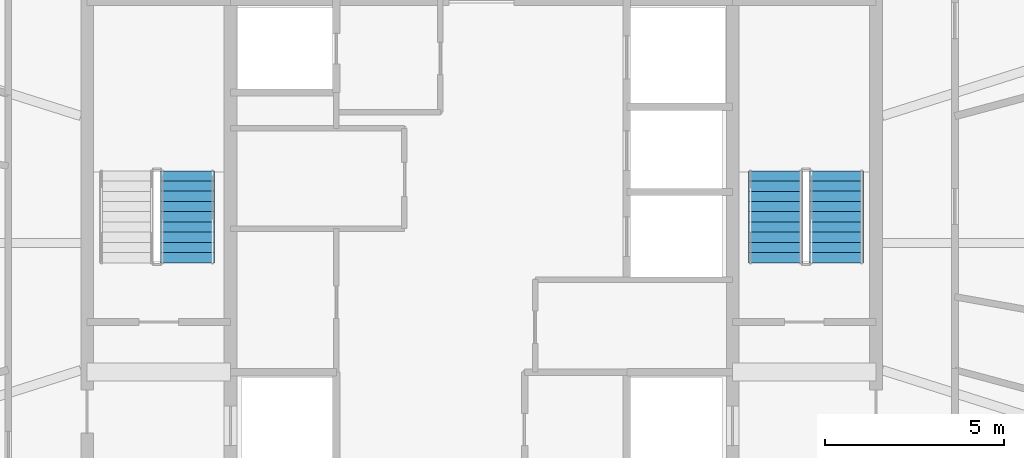
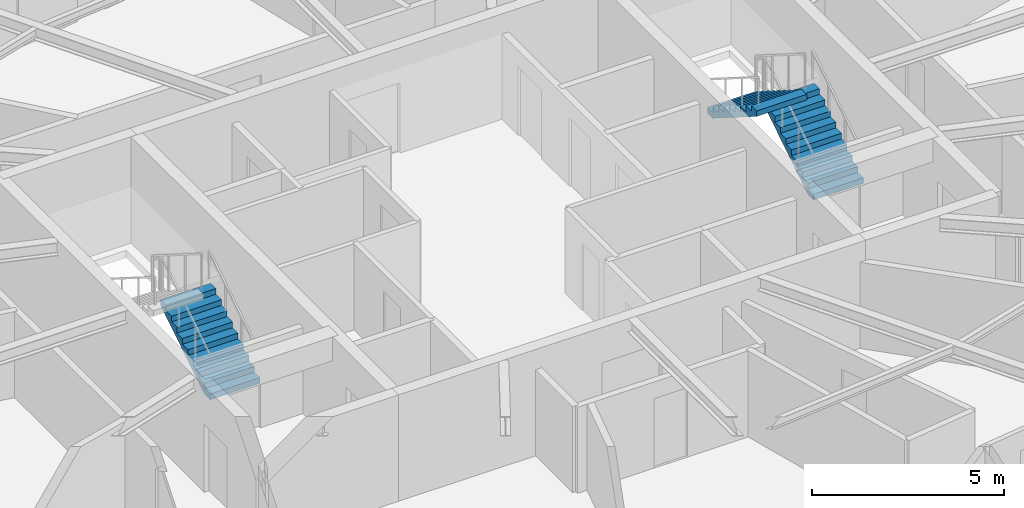
# One storey, part 20 of 23: 3 stair flights, 2 elements without a shape of their own.
"""IFC4 building model written with IfcOpenShell, lengths in metres."""

import ifcopenshell
import ifcopenshell.guid

model = None  # the IFC model being written
_history = None  # IfcOwnerHistory: only IFC2X3 demands one
_inside = {}  # id of a spatial element -> (the spatial element, [elements in it])
_under = {}  # id of a project, library or spatial element -> (it, [spatial elements below it])
_declared = {}  # id of a project -> (the project, [libraries it declares])
_typed = {}  # id of a type object -> (the type object, [elements of that type])
_made_of = {}  # id of a material, layer set ... -> (it, [elements and type objects made of it])


def new_model(schema):
    """Start an empty IFC model of exactly this schema.

    Asked for "IFC4X3", IfcOpenShell would pick the latest addendum, in which some entities
    have other attributes; the version numbers below select the first issue.
    IFC2X3 requires an IfcOwnerHistory on every rooted entity: one is made here for all.
    """
    global model, _history
    if schema == "IFC4X3":
        model = ifcopenshell.file(schema_version=(4, 3, 0, 0))
    else:
        model = ifcopenshell.file(schema=schema)
    _inside.clear()
    _under.clear()
    _declared.clear()
    _typed.clear()
    _made_of.clear()
    _history = None
    if model.schema == "IFC2X3":
        org = make("IfcOrganization", Name="unknown")
        user = make(
            "IfcPersonAndOrganization",
            ThePerson=make("IfcPerson", FamilyName="unknown"),
            TheOrganization=org,
        )
        app = make(
            "IfcApplication",
            ApplicationDeveloper=org,
            Version="unknown",
            ApplicationFullName="unknown",
            ApplicationIdentifier="unknown",
        )
        _history = make(
            "IfcOwnerHistory",
            OwningUser=user,
            OwningApplication=app,
            ChangeAction="ADDED",
            CreationDate=0,
        )
    return model


def make(cls, **values):
    """One entity of the class cls with the attributes given. An attribute that is None is left unset."""
    return model.create_entity(
        cls, **{name: value for name, value in values.items() if value is not None}
    )


def rooted(cls, **values):
    """An entity with a GlobalId (a new one), such as an element, a storey or a relation."""
    return make(cls, GlobalId=ifcopenshell.guid.new(), OwnerHistory=_history, **values)


def si_unit(unit_type, name, prefix=None):
    """IfcSIUnit, for example si_unit("LENGTHUNIT", "METRE", prefix="MILLI")."""
    return make("IfcSIUnit", UnitType=unit_type, Prefix=prefix, Name=name)


def assignment(units):
    """IfcUnitAssignment: the units of a project."""
    return None if units is None else make("IfcUnitAssignment", Units=units)


def point(xyz):
    """IfcCartesianPoint."""
    return None if xyz is None else make("IfcCartesianPoint", Coordinates=xyz)


def direction(xyz):
    """IfcDirection."""
    return None if xyz is None else make("IfcDirection", DirectionRatios=xyz)


def frame(location, z_axis=None, x_axis=None):
    """IfcAxis2Placement3D, a coordinate frame: its origin and axes. An axis left out is left unset."""
    return make(
        "IfcAxis2Placement3D",
        Location=point(location),
        Axis=direction(z_axis),
        RefDirection=direction(x_axis),
    )


def origin():
    """The frame at (0, 0, 0) with its axes left unset."""
    return frame((0.0, 0.0, 0.0))


def place(relative_to, where):
    """IfcLocalPlacement: puts the frame where relative to a parent placement (None: the world)."""
    return make(
        "IfcLocalPlacement", PlacementRelTo=relative_to, RelativePlacement=where
    )


def context(
    kind, dimensions, precision=None, world=None, true_north=None, identifier=None
):
    """IfcGeometricRepresentationContext, for example the 3D "Model" context."""
    return make(
        "IfcGeometricRepresentationContext",
        ContextIdentifier=identifier,
        ContextType=kind,
        CoordinateSpaceDimension=dimensions,
        Precision=precision,
        WorldCoordinateSystem=world,
        TrueNorth=true_north,
    )


def subcontext(parent, identifier, kind, view, scale=None):
    """IfcGeometricRepresentationSubContext, for example "Body" below "Model"."""
    return make(
        "IfcGeometricRepresentationSubContext",
        ContextIdentifier=identifier,
        ContextType=kind,
        ParentContext=parent,
        TargetScale=scale,
        TargetView=view,
    )


def project(units=None, contexts=None):
    """IfcProject with its units and contexts."""
    return rooted(
        "IfcProject",
        Name="project",
        RepresentationContexts=contexts,
        UnitsInContext=assignment(units),
    )


def spatial(cls, under=None, at=None, **own):
    """A site, building, storey or space (cls), placed at a placement, below another one or the project."""
    s = rooted(cls, ObjectPlacement=at, **own)
    if under is not None:
        _under.setdefault(under.id(), (under, []))[1].append(s)
    return s


def polyline(points):
    """IfcPolyline through the points."""
    return make("IfcPolyline", Points=[point(p) for p in points])


def outline(outer, holes=None, kind="AREA"):
    """IfcArbitraryClosedProfileDef: a profile drawn as a closed curve; with holes, ...WithVoids."""
    if holes is None:
        return make("IfcArbitraryClosedProfileDef", ProfileType=kind, OuterCurve=outer)
    return make(
        "IfcArbitraryProfileDefWithVoids",
        ProfileType=kind,
        OuterCurve=outer,
        InnerCurves=holes,
    )


def extrude(swept, where, along, depth):
    """IfcExtrudedAreaSolid: the profile swept, set in the frame where, extruded along a direction by depth."""
    return make(
        "IfcExtrudedAreaSolid",
        SweptArea=swept,
        Position=where,
        ExtrudedDirection=direction(along),
        Depth=depth,
    )


def shape(context_of_items, identifier, shape_type, items):
    """IfcShapeRepresentation: the items that make up one representation, for example the "Body"."""
    return make(
        "IfcShapeRepresentation",
        ContextOfItems=context_of_items,
        RepresentationIdentifier=identifier,
        RepresentationType=shape_type,
        Items=items,
    )


def material(Name=None, Category=None):
    """IfcMaterial."""
    return make("IfcMaterial", Name=Name, Category=Category)


def made_of(thing, what):
    """Note that an element or type object is made of a material, layer set ...; save() writes the relation."""
    if what is not None:
        _made_of.setdefault(what.id(), (what, []))[1].append(thing)
    return thing


def type_object(cls, material=None, **own):
    """A type object (cls), such as IfcWallType, which elements share."""
    return made_of(rooted(cls, **own), material)


def element(
    cls,
    number,
    at=None,
    inside=None,
    cuts=None,
    type_object=None,
    material=None,
    context=None,
    identifier="Body",
    shape_type=None,
    held_by="IfcProductDefinitionShape",
    body=None,
    shapes=None,
    **own,
):
    """One element of the class cls, such as IfcWall. Its Tag is "e" and its number.

    at: its placement. inside: the storey or other place that contains it. cuts: it is an
    opening in that element (IfcRelVoidsElement). A single representation is given by context,
    identifier, shape_type and body (its items); several are given by shapes. held_by: the class
    of the entity that holds the representations. save() writes the other relations.
    """
    e = rooted(cls, Tag="e%d" % number, ObjectPlacement=at, **own)
    if body is not None:
        shapes = [shape(context, identifier, shape_type, body)]
    if shapes is not None:
        e.Representation = make(held_by, Representations=shapes)
    if inside is not None:
        _inside.setdefault(inside.id(), (inside, []))[1].append(e)
    if cuts is not None:
        rooted(
            "IfcRelVoidsElement", RelatingBuildingElement=cuts, RelatedOpeningElement=e
        )
    if type_object is not None:
        _typed.setdefault(type_object.id(), (type_object, []))[1].append(e)
    return made_of(e, material)


def aggregate(whole, parts):
    """IfcRelAggregates: a whole, such as a stair, and the parts it consists of."""
    return rooted("IfcRelAggregates", RelatingObject=whole, RelatedObjects=parts)


def save(model, path):
    """Write the relations noted so far, then the file.

    IfcRelAggregates (storeys below a building ...), IfcRelContainedInSpatialStructure (elements
    in a storey), IfcRelDefinesByType, IfcRelAssociatesMaterial and IfcRelDeclares: one each for
    every whole, place, type object, material and project.
    """
    for whole, parts in _under.values():
        aggregate(whole, parts)
    for where, things in _inside.values():
        rooted(
            "IfcRelContainedInSpatialStructure",
            RelatedElements=things,
            RelatingStructure=where,
        )
    for kind, things in _typed.values():
        rooted("IfcRelDefinesByType", RelatedObjects=things, RelatingType=kind)
    for what, things in _made_of.values():
        rooted("IfcRelAssociatesMaterial", RelatedObjects=things, RelatingMaterial=what)
    for by, libraries in _declared.values():
        rooted("IfcRelDeclares", RelatingContext=by, RelatedDefinitions=libraries)
    model.write(path)


model = new_model("IFC4")

# Units and contexts
model_context = context("Model", 3, precision=1e-05, world=origin(), true_north=direction((0.0, 1.0)))
body_context = subcontext(model_context, "Body", "Model", "MODEL_VIEW")
ifc_project = project(units=[si_unit("LENGTHUNIT", "METRE"), si_unit("AREAUNIT", "SQUARE_METRE"), si_unit("VOLUMEUNIT", "CUBIC_METRE"), si_unit("PLANEANGLEUNIT", "RADIAN"), si_unit("MASSUNIT", "GRAM", prefix="KILO")], contexts=[model_context])

# Site, building, storey
site_placement = place(None, origin())
site = spatial("IfcSite", under=ifc_project, at=site_placement, CompositionType="ELEMENT")
building_placement = place(site_placement, origin())
building = spatial("IfcBuilding", under=site, at=building_placement, Name="Sarneth Arch Tower", CompositionType="ELEMENT")
storey_placement = place(building_placement, frame((0.0, 0.0, 265.800048828125)))
storey = spatial("IfcBuildingStorey", under=building, at=storey_placement, Name="L68", CompositionType="ELEMENT", Elevation=265.800048828125)

# Stair, stair flight
ifc_material_1 = material(Name="Concrete C50/60", Category="concrete")
stair_type = type_object("IfcStairType", Name="STAIR-CORE-RC", PredefinedType="HALF_TURN_STAIR", material=ifc_material_1)
stair_1_placement = place(storey_placement, origin())
stair_1 = element("IfcStair", 1, at=stair_1_placement, inside=storey, type_object=stair_type, Name="L68 Core Exit Stair 1", PredefinedType="HALF_TURN_STAIR")
ifc_material_2 = material(Name="Concrete C50/60", Category="concrete")
stair_flight_type = type_object("IfcStairFlightType", Name="FLIGHT-RC-1500", PredefinedType="STRAIGHT", material=ifc_material_2)
stair_flight_1_placement = place(storey_placement, frame((39.800048828125, 41.449951171875, 0.0), z_axis=(0.0, 0.0, 1.0), x_axis=(0.0, 1.0, 0.0)))
stair_flight_1 = element("IfcStairFlight", 2, at=stair_flight_1_placement, type_object=stair_flight_type, Name="ST-1 flight 1", NumberOfRisers=10, NumberOfTreads=9, PredefinedType="STRAIGHT", RiserHeight=0.18, TreadLength=0.285, context=body_context, shape_type="SweptSolid", body=[
    extrude(outline(polyline([(0.0, 0.0), (0.0, 0.179931640625), (0.284912109375, 0.179931640625), (0.284912109375, 0.360107421875), (0.570068359375, 0.360107421875), (0.570068359375, 0.5400390625), (0.85498046875, 0.5400390625), (0.85498046875, 0.719970703125), (1.139892578125, 0.719970703125), (1.139892578125, 0.89990234375), (1.425048828125, 0.89990234375), (1.425048828125, 1.080078125), (1.7099609375, 1.080078125), (1.7099609375, 1.260009765625), (1.9951171875, 1.260009765625), (1.9951171875, 1.43994140625), (2.280029296875, 1.43994140625), (2.280029296875, 1.6201171875), (2.56494140625, 1.6201171875), (2.56494140625, 1.800048828125), (2.56494140625, 1.442626953125), (0.28076171875, 0.0), (0.0, 0.0)])), frame((0.0, 0.75, 0.0), z_axis=(0.0, -1.0, 0.0), x_axis=(1.0, 0.0, 0.0)), (0.0, 0.0, 1.0), 1.5),
])
aggregate(stair_1, [stair_flight_1])

# Stair, stair flights
stair_2_placement = place(storey_placement, origin())
stair_2 = element("IfcStair", 3, at=stair_2_placement, inside=storey, type_object=stair_type, Name="L68 Core Exit Stair 2", PredefinedType="HALF_TURN_STAIR")
stair_flight_2_placement = place(storey_placement, frame((57.89990234375, 41.449951171875, 0.0), z_axis=(0.0, 0.0, 1.0), x_axis=(0.0, 1.0, 0.0)))
stair_flight_2 = element("IfcStairFlight", 4, at=stair_flight_2_placement, type_object=stair_flight_type, Name="ST-2 flight 1", NumberOfRisers=10, NumberOfTreads=9, PredefinedType="STRAIGHT", RiserHeight=0.18, TreadLength=0.285, context=body_context, shape_type="SweptSolid", body=[
    extrude(outline(polyline([(0.0, 0.0), (0.0, 0.179931640625), (0.284912109375, 0.179931640625), (0.284912109375, 0.360107421875), (0.570068359375, 0.360107421875), (0.570068359375, 0.5400390625), (0.85498046875, 0.5400390625), (0.85498046875, 0.719970703125), (1.139892578125, 0.719970703125), (1.139892578125, 0.89990234375), (1.425048828125, 0.89990234375), (1.425048828125, 1.080078125), (1.7099609375, 1.080078125), (1.7099609375, 1.260009765625), (1.9951171875, 1.260009765625), (1.9951171875, 1.43994140625), (2.280029296875, 1.43994140625), (2.280029296875, 1.6201171875), (2.56494140625, 1.6201171875), (2.56494140625, 1.800048828125), (2.56494140625, 1.442626953125), (0.28076171875, 0.0), (0.0, 0.0)])), frame((0.0, 0.75, 0.0), z_axis=(0.0, -1.0, 0.0), x_axis=(1.0, 0.0, 0.0)), (0.0, 0.0, 1.0), 1.5),
])
stair_flight_3_placement = place(storey_placement, frame((56.199951171875, 44.014892578125, 1.800048828125), z_axis=(0.0, 0.0, 1.0), x_axis=(0.0, -1.0, 0.0)))
stair_flight_3 = element("IfcStairFlight", 5, at=stair_flight_3_placement, type_object=stair_flight_type, Name="ST-2 flight 2", NumberOfRisers=10, NumberOfTreads=9, PredefinedType="STRAIGHT", RiserHeight=0.18, TreadLength=0.285, context=body_context, shape_type="SweptSolid", body=[
    extrude(outline(polyline([(0.0, 0.0), (0.0, 0.179931640625), (0.284912109375, 0.179931640625), (0.284912109375, 0.360107421875), (0.570068359375, 0.360107421875), (0.570068359375, 0.5400390625), (0.85498046875, 0.5400390625), (0.85498046875, 0.719970703125), (1.139892578125, 0.719970703125), (1.139892578125, 0.89990234375), (1.425048828125, 0.89990234375), (1.425048828125, 1.080078125), (1.7099609375, 1.080078125), (1.7099609375, 1.260009765625), (1.9951171875, 1.260009765625), (1.9951171875, 1.43994140625), (2.280029296875, 1.43994140625), (2.280029296875, 1.6201171875), (2.56494140625, 1.6201171875), (2.56494140625, 1.800048828125), (2.56494140625, 1.442626953125), (0.28076171875, 0.0), (0.0, 0.0)])), frame((0.0, 0.75, 0.0), z_axis=(0.0, -1.0, 0.0), x_axis=(1.0, 0.0, 0.0)), (0.0, 0.0, 1.0), 1.5),
])
aggregate(stair_2, [stair_flight_2, stair_flight_3])

save(model, "model.ifc")
